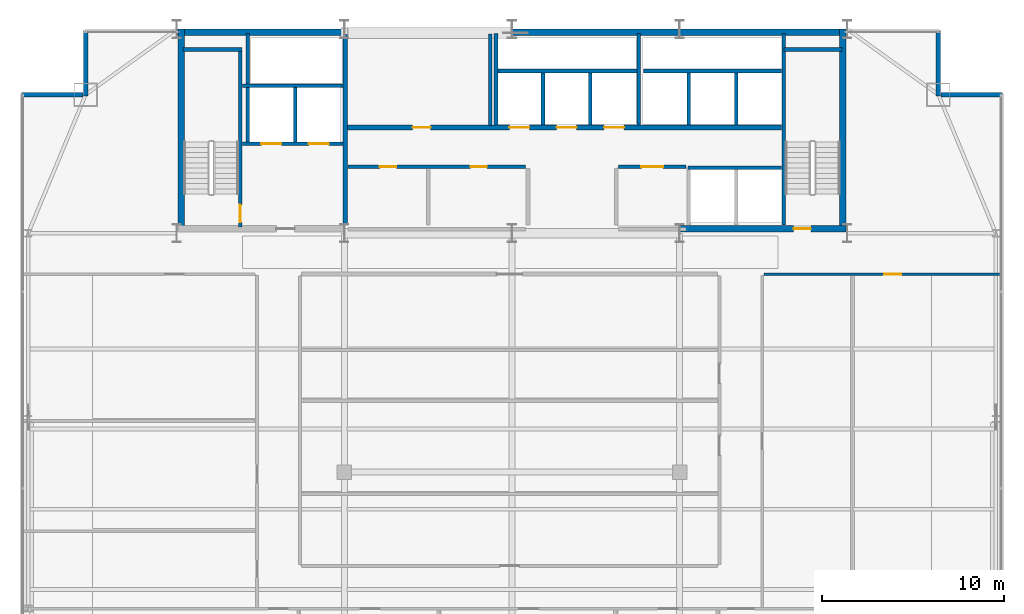
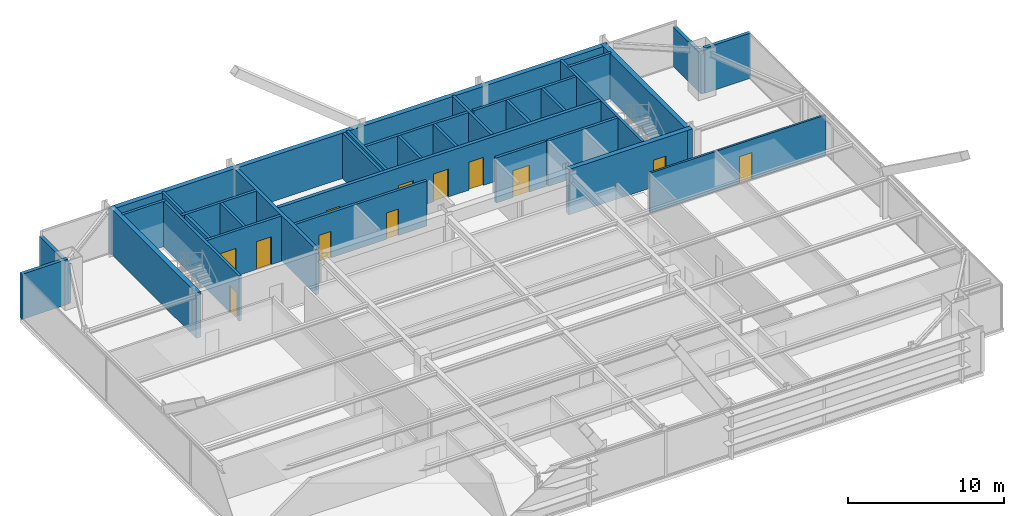
# One storey, part 27 of 30: 31 walls, 12 doors, 12 openings.
"""IFC4 building model written with IfcOpenShell, lengths in metres."""

from ifc_helpers import new_model, si_unit, direction, frame, frame_2d, origin, place, context, subcontext, project, spatial, rectangle, extrude, source, transform, mapped, material, layer, layer_set, type_object, type_shapes, element, fill, save


model = new_model("IFC4")

# Units and contexts
model_context = context("Model", 3, precision=1e-05, world=origin(), true_north=direction((0.0, 1.0)))
body_context = subcontext(model_context, "Body", "Model", "MODEL_VIEW")
ifc_project = project(units=[si_unit("LENGTHUNIT", "METRE"), si_unit("AREAUNIT", "SQUARE_METRE"), si_unit("VOLUMEUNIT", "CUBIC_METRE"), si_unit("PLANEANGLEUNIT", "RADIAN"), si_unit("MASSUNIT", "GRAM", prefix="KILO")], contexts=[model_context])

# Site, building, storey
site_placement = place(None, origin())
site = spatial("IfcSite", under=ifc_project, at=site_placement, CompositionType="ELEMENT")
building_placement = place(site_placement, origin())
building = spatial("IfcBuilding", under=site, at=building_placement, Name="Varnel Quay Broadcast Tower", CompositionType="ELEMENT")
storey_placement = place(building_placement, frame((0.0, 0.0, 180.0)))
storey = spatial("IfcBuildingStorey", under=building, at=storey_placement, Name="L44", CompositionType="ELEMENT", Elevation=180.0)

# Wall, opening, door
ifc_material_1 = material(Name="Concrete CSA A23.3 C50/60", Category="concrete")
ifc_layer_1 = layer(ifc_material_1, 0.199951171875, Name="Concrete CSA A23.3 C50/60")
ifc_layer_set_1 = layer_set([ifc_layer_1], Name="Concrete CSA A23.3 C50/60")
wall_type_1 = type_object("IfcWallType", Name="Wall_CoreShaftShear200", PredefinedType="SHEAR", material=ifc_layer_set_1)
wall_1_placement = place(storey_placement, frame((19.080078125, 35.949951171875, 0.0), z_axis=(0.0, 0.0, 1.0), x_axis=(0.0, 1.0, 0.0)))
wall_1 = element("IfcWall", 1, at=wall_1_placement, inside=storey, type_object=wall_type_1, Name="L44 Stair 1 East Structural Wall", PredefinedType="SHEAR", context=body_context, shape_type="SweptSolid", body=[
    extrude(rectangle(XDim=9.650146484375, YDim=0.199951171875, at=frame_2d((4.8251953125, 0.0))), origin(), (0.0, 0.0, 1.0), 3.550048828125),
])
opening_1_placement = place(wall_1_placement, frame((0.25, 0.0, 0.0)))
opening_1 = element("IfcOpeningElement", 2, at=opening_1_placement, cuts=wall_1, Name="Opening D-L44-S1", PredefinedType="OPENING", context=body_context, shape_type="SweptSolid", body=[
    extrude(rectangle(XDim=0.949951171875, YDim=2.10009765625, at=frame_2d((0.47509765625, 1.050048828125))), frame((0.0, 0.10986328125, 0.0), z_axis=(0.0, -1.0, 0.0), x_axis=(1.0, 0.0, 0.0)), (0.0, 0.0, 1.0), 0.219970703125),
])
ifc_material_2 = material(Name="Insulated Fire-Rated Hollow Steel Door", Category="steel")
door_type_1 = type_object("IfcDoorType", Name="Door_FireStair950", OperationType="NOTDEFINED", PredefinedType="DOOR", material=ifc_material_2)
shared_shape_1 = source(origin(), body_context, "Body", "SweptSolid", [
    extrude(rectangle(XDim=0.949951171875, YDim=2.10009765625, at=frame_2d((0.47509765625, 1.050048828125))), frame((0.0, 0.02490234375, 0.0), z_axis=(0.0, -1.0, 0.0), x_axis=(1.0, 0.0, 0.0)), (0.0, 0.0, 1.0), 0.050048828125),
])
type_shapes(door_type_1, [shared_shape_1])
door_1_placement = place(opening_1_placement, origin())
door_1 = element("IfcDoor", 3, at=door_1_placement, inside=storey, type_object=door_type_1, Name="L44 Stair 1 Fire Door", OperationType="SINGLE_SWING_RIGHT", OverallHeight=2.10009765625, OverallWidth=0.949951171875, PredefinedType="DOOR", context=body_context, shape_type="MappedRepresentation", body=[
    mapped(shared_shape_1, transform((0.0, 0.0, 0.0), x_axis=(1.0, 0.0, 0.0), y_axis=(0.0, 1.0, 0.0), z_axis=(0.0, 0.0, 1.0), scale=1.0)),
])
fill(opening_1, door_1)

# Wall
wall_2_placement = place(storey_placement, frame((15.949951171875, 45.679931640625, 0.0), z_axis=(0.0, 0.0, 1.0), x_axis=(1.0, 0.0, 0.0)))
element("IfcWall", 4, at=wall_2_placement, inside=storey, type_object=wall_type_1, Name="L44 Stair 1 North Structural Wall", PredefinedType="SHEAR", context=body_context, shape_type="SweptSolid", body=[
    extrude(rectangle(XDim=3.22998046875, YDim=0.199951171875, at=frame_2d((1.614990234375, 0.0))), origin(), (0.0, 0.0, 1.0), 3.550048828125),
])

# Wall, openings, doors
wall_3_placement = place(storey_placement, frame((19.199951171875, 40.5, 0.0), z_axis=(0.0, 0.0, 1.0), x_axis=(1.0, 0.0, 0.0)))
wall_3 = element("IfcWall", 5, at=wall_3_placement, inside=storey, type_object=wall_type_1, Name="L44 Firefighter Lift Shaft Front Wall", PredefinedType="SHEAR", context=body_context, shape_type="SweptSolid", body=[
    extrude(rectangle(XDim=5.52001953125, YDim=0.199951171875, at=frame_2d((2.760009765625, 0.0))), origin(), (0.0, 0.0, 1.0), 3.550048828125),
])
opening_2_placement = place(wall_3_placement, frame((1.050048828125, 0.0, 0.0)))
opening_2 = element("IfcOpeningElement", 6, at=opening_2_placement, cuts=wall_3, Name="Opening LD-L44-FE1", PredefinedType="OPENING", context=body_context, shape_type="SweptSolid", body=[
    extrude(rectangle(XDim=1.10009765625, YDim=2.179931640625, at=frame_2d((0.550048828125, 1.08984375))), frame((0.0, 0.10986328125, 0.0), z_axis=(0.0, -1.0, 0.0), x_axis=(1.0, 0.0, 0.0)), (0.0, 0.0, 1.0), 0.219970703125),
])
opening_3_placement = place(wall_3_placement, frame((3.64990234375, 0.0, 0.0)))
opening_3 = element("IfcOpeningElement", 7, at=opening_3_placement, cuts=wall_3, Name="Opening LD-L44-FE2", PredefinedType="OPENING", context=body_context, shape_type="SweptSolid", body=[
    extrude(rectangle(XDim=1.10009765625, YDim=2.179931640625, at=frame_2d((0.550048828125, 1.08984375))), frame((0.0, 0.10986328125, 0.0), z_axis=(0.0, -1.0, 0.0), x_axis=(1.0, 0.0, 0.0)), (0.0, 0.0, 1.0), 0.219970703125),
])
ifc_material_3 = material(Name="Brushed Bronze-Stainless Lift Car & Sliding Doors", Category="steel")
door_type_2 = type_object("IfcDoorType", Name="Door_LiftLanding1100", OperationType="SLIDING_TO_LEFT", PredefinedType="DOOR", material=ifc_material_3)
shared_shape_2 = source(origin(), body_context, "Body", "SweptSolid", [
    extrude(rectangle(XDim=1.10009765625, YDim=2.179931640625, at=frame_2d((0.550048828125, 1.08984375))), frame((0.0, 0.02490234375, 0.0), z_axis=(0.0, -1.0, 0.0), x_axis=(1.0, 0.0, 0.0)), (0.0, 0.0, 1.0), 0.050048828125),
])
type_shapes(door_type_2, [shared_shape_2])
door_2_placement = place(opening_2_placement, frame((1.10009765625, 0.0, 0.0), z_axis=(0.0, 0.0, 1.0), x_axis=(-1.0, 0.0, 0.0)))
door_2 = element("IfcDoor", 8, at=door_2_placement, inside=storey, type_object=door_type_2, Name="L44 Firefighter Lift FE-01 Landing Door", OperationType="SLIDING_TO_LEFT", OverallHeight=2.179931640625, OverallWidth=1.10009765625, PredefinedType="DOOR", context=body_context, shape_type="MappedRepresentation", body=[
    mapped(shared_shape_2, transform((0.0, 0.0, 0.0), x_axis=(1.0, 0.0, 0.0), y_axis=(0.0, 1.0, 0.0), z_axis=(0.0, 0.0, 1.0), scale=1.0)),
])
fill(opening_2, door_2)
door_3_placement = place(opening_3_placement, frame((1.10009765625, 0.0, 0.0), z_axis=(0.0, 0.0, 1.0), x_axis=(-1.0, 0.0, 0.0)))
door_3 = element("IfcDoor", 9, at=door_3_placement, inside=storey, type_object=door_type_2, Name="L44 Firefighter Lift FE-02 Landing Door", OperationType="SLIDING_TO_RIGHT", OverallHeight=2.179931640625, OverallWidth=1.10009765625, PredefinedType="DOOR", context=body_context, shape_type="MappedRepresentation", body=[
    mapped(shared_shape_2, transform((0.0, 0.0, 0.0), x_axis=(1.0, 0.0, 0.0), y_axis=(0.0, 1.0, 0.0), z_axis=(0.0, 0.0, 1.0), scale=1.0)),
])
fill(opening_3, door_3)

# Walls
wall_4_placement = place(storey_placement, frame((19.199951171875, 43.699951171875, 0.0), z_axis=(0.0, 0.0, 1.0), x_axis=(1.0, 0.0, 0.0)))
element("IfcWall", 10, at=wall_4_placement, inside=storey, type_object=wall_type_1, Name="L44 Firefighter Lift Shaft Rear Wall", PredefinedType="SHEAR", context=body_context, shape_type="SweptSolid", body=[
    extrude(rectangle(XDim=5.52001953125, YDim=0.199951171875, at=frame_2d((2.760009765625, 0.0))), origin(), (0.0, 0.0, 1.0), 3.550048828125),
])
wall_5_placement = place(storey_placement, frame((22.10009765625, 40.60009765625, 0.0), z_axis=(0.0, 0.0, 1.0), x_axis=(0.0, 1.0, 0.0)))
element("IfcWall", 11, at=wall_5_placement, inside=storey, type_object=wall_type_1, Name="L44 Firefighter Lift Shaft Divider", PredefinedType="SHEAR", context=body_context, shape_type="SweptSolid", body=[
    extrude(rectangle(XDim=3.0, YDim=0.199951171875, at=frame_2d((1.5, 0.0))), origin(), (0.0, 0.0, 1.0), 3.550048828125),
])
wall_6_placement = place(storey_placement, frame((19.5, 40.60009765625, 0.0), z_axis=(0.0, 0.0, 1.0), x_axis=(0.0, 1.0, 0.0)))
element("IfcWall", 12, at=wall_6_placement, inside=storey, type_object=wall_type_1, Name="L44 Firefighter Lift Shaft West Wall", PredefinedType="SHEAR", context=body_context, shape_type="SweptSolid", body=[
    extrude(rectangle(XDim=5.949951171875, YDim=0.199951171875, at=frame_2d((2.97509765625, 0.0))), origin(), (0.0, 0.0, 1.0), 3.550048828125),
])
wall_7_placement = place(storey_placement, frame((48.919921875, 36.050048828125, 0.0), z_axis=(0.0, 0.0, 1.0), x_axis=(0.0, 1.0, 0.0)))
element("IfcWall", 13, at=wall_7_placement, inside=storey, type_object=wall_type_1, Name="L44 Stair 2 West Structural Wall", PredefinedType="SHEAR", context=body_context, shape_type="SweptSolid", body=[
    extrude(rectangle(XDim=10.5, YDim=0.199951171875, at=frame_2d((5.25, 0.0))), origin(), (0.0, 0.0, 1.0), 3.550048828125),
])
wall_8_placement = place(storey_placement, frame((48.919921875, 45.679931640625, 0.0), z_axis=(0.0, 0.0, 1.0), x_axis=(1.0, 0.0, 0.0)))
element("IfcWall", 14, at=wall_8_placement, inside=storey, type_object=wall_type_1, Name="L44 Stair 2 North Structural Wall", PredefinedType="SHEAR", context=body_context, shape_type="SweptSolid", body=[
    extrude(rectangle(XDim=3.18017578125, YDim=0.199951171875, at=frame_2d((1.590087890625, 0.0))), origin(), (0.0, 0.0, 1.0), 3.550048828125),
])
wall_9_placement = place(storey_placement, frame((33.219970703125, 44.5, 0.0), z_axis=(0.0, 0.0, 1.0), x_axis=(1.0, 0.0, 0.0)))
element("IfcWall", 15, at=wall_9_placement, inside=storey, type_object=wall_type_1, Name="L44 Mid-Rise Lift Shaft Rear Wall", PredefinedType="SHEAR", context=body_context, shape_type="SweptSolid", body=[
    extrude(rectangle(XDim=7.630126953125, YDim=0.199951171875, at=frame_2d((3.81494140625, 0.0))), origin(), (0.0, 0.0, 1.0), 3.550048828125),
])
wall_10_placement = place(storey_placement, frame((33.1201171875, 41.530029296875, 0.0), z_axis=(0.0, 0.0, 1.0), x_axis=(0.0, 1.0, 0.0)))
element("IfcWall", 16, at=wall_10_placement, inside=storey, type_object=wall_type_1, Name="L44 Mid-Rise Lift Shaft Divider 1", PredefinedType="SHEAR", context=body_context, shape_type="SweptSolid", body=[
    extrude(rectangle(XDim=5.02001953125, YDim=0.199951171875, at=frame_2d((2.510009765625, 0.0))), origin(), (0.0, 0.0, 1.0), 3.550048828125),
])
for number, where, z_axis, x_axis, name in (
    (17, (35.699951171875, 41.530029296875, 0.0), (0.0, 0.0, 1.0), (0.0, 1.0, 0.0), "L44 Mid-Rise Lift Shaft Divider 2"),
    (18, (38.300048828125, 41.530029296875, 0.0), (0.0, 0.0, 1.0), (0.0, 1.0, 0.0), "L44 Mid-Rise Lift Shaft Divider 3"),
):
    element("IfcWall", number, at=place(storey_placement, frame(where, z_axis=z_axis, x_axis=x_axis)), inside=storey, type_object=wall_type_1, Name=name, PredefinedType="SHEAR", context=body_context, shape_type="SweptSolid", body=[
        extrude(rectangle(XDim=2.869873046875, YDim=0.199951171875, at=frame_2d((1.43505859375, 0.0))), origin(), (0.0, 0.0, 1.0), 3.550048828125),
    ])
wall_11_placement = place(storey_placement, frame((40.949951171875, 41.530029296875, 0.0), z_axis=(0.0, 0.0, 1.0), x_axis=(0.0, 1.0, 0.0)))
element("IfcWall", 19, at=wall_11_placement, inside=storey, type_object=wall_type_1, Name="L44 Mid-Rise Lift Shaft Divider 4", PredefinedType="SHEAR", context=body_context, shape_type="SweptSolid", body=[
    extrude(rectangle(XDim=5.02001953125, YDim=0.199951171875, at=frame_2d((2.510009765625, 0.0))), origin(), (0.0, 0.0, 1.0), 3.550048828125),
])
wall_12_placement = place(storey_placement, frame((41.219970703125, 44.5, 0.0), z_axis=(0.0, 0.0, 1.0), x_axis=(1.0, 0.0, 0.0)))
element("IfcWall", 20, at=wall_12_placement, inside=storey, type_object=wall_type_1, Name="L44 High-Rise Lift Shaft Rear Wall", PredefinedType="SHEAR", context=body_context, shape_type="SweptSolid", body=[
    extrude(rectangle(XDim=7.580078125, YDim=0.199951171875, at=frame_2d((3.7900390625, 0.0))), origin(), (0.0, 0.0, 1.0), 3.550048828125),
])
for number, where, z_axis, x_axis, name in (
    (21, (43.699951171875, 41.530029296875, 0.0), (0.0, 0.0, 1.0), (0.0, 1.0, 0.0), "L44 High-Rise Lift Shaft Divider 2"),
    (22, (46.300048828125, 41.530029296875, 0.0), (0.0, 0.0, 1.0), (0.0, 1.0, 0.0), "L44 High-Rise Lift Shaft Divider 3"),
):
    element("IfcWall", number, at=place(storey_placement, frame(where, z_axis=z_axis, x_axis=x_axis)), inside=storey, type_object=wall_type_1, Name=name, PredefinedType="SHEAR", context=body_context, shape_type="SweptSolid", body=[
        extrude(rectangle(XDim=2.869873046875, YDim=0.199951171875, at=frame_2d((1.43505859375, 0.0))), origin(), (0.0, 0.0, 1.0), 3.550048828125),
    ])
wall_13_placement = place(storey_placement, frame((43.64990234375, 39.199951171875, 0.0), z_axis=(0.0, 0.0, 1.0), x_axis=(1.0, 0.0, 0.0)))
element("IfcWall", 23, at=wall_13_placement, inside=storey, type_object=wall_type_1, Name="L44 Express Lift Shaft North Front Wall", PredefinedType="SHEAR", context=body_context, shape_type="SweptSolid", body=[
    extrude(rectangle(XDim=5.150146484375, YDim=0.199951171875, at=frame_2d((2.5751953125, 0.0))), origin(), (0.0, 0.0, 1.0), 3.550048828125),
])
ifc_layer_2 = layer(ifc_material_1, 0.25, Name="Concrete CSA A23.3 C50/60")
ifc_layer_set_2 = layer_set([ifc_layer_2], Name="Concrete CSA A23.3 C50/60")
wall_type_2 = type_object("IfcWallType", Name="Wall_CoreShaftShear250", PredefinedType="SHEAR", material=ifc_layer_set_2)
wall_14_placement = place(storey_placement, frame((24.85009765625, 36.050048828125, 0.0), z_axis=(0.0, 0.0, 1.0), x_axis=(0.0, 1.0, 0.0)))
element("IfcWall", 24, at=wall_14_placement, inside=storey, type_object=wall_type_2, Name="L44 Firefighting Lobby East Structural Wall", PredefinedType="SHEAR", context=body_context, shape_type="SweptSolid", body=[
    extrude(rectangle(XDim=10.449951171875, YDim=0.25, at=frame_2d((5.22509765625, 0.0))), origin(), (0.0, 0.0, 1.0), 3.550048828125),
])

# Wall, openings, doors
wall_15_placement = place(storey_placement, frame((24.97998046875, 41.39990234375, 0.0), z_axis=(0.0, 0.0, 1.0), x_axis=(1.0, 0.0, 0.0)))
wall_15 = element("IfcWall", 25, at=wall_15_placement, inside=storey, type_object=wall_type_2, Name="L44 North Lift Bank & Reclaimed Suite Wall", PredefinedType="SHEAR", context=body_context, shape_type="SweptSolid", body=[
    extrude(rectangle(XDim=23.820068359375, YDim=0.25, at=frame_2d((11.91015625, 0.0))), origin(), (0.0, 0.0, 1.0), 3.550048828125),
])
opening_4_placement = place(wall_15_placement, frame((8.8701171875, 0.0, 0.0)))
opening_4 = element("IfcOpeningElement", 26, at=opening_4_placement, cuts=wall_15, Name="Opening LD-L44-PM-01", PredefinedType="OPENING", context=body_context, shape_type="SweptSolid", body=[
    extrude(rectangle(XDim=1.10009765625, YDim=2.179931640625, at=frame_2d((0.550048828125, 1.08984375))), frame((0.0, 0.135009765625, 0.0), z_axis=(0.0, -1.0, 0.0), x_axis=(1.0, 0.0, 0.0)), (0.0, 0.0, 1.0), 0.27001953125),
])
opening_5_placement = place(wall_15_placement, frame((11.469970703125, 0.0, 0.0)))
opening_5 = element("IfcOpeningElement", 27, at=opening_5_placement, cuts=wall_15, Name="Opening LD-L44-PM-02", PredefinedType="OPENING", context=body_context, shape_type="SweptSolid", body=[
    extrude(rectangle(XDim=1.10009765625, YDim=2.179931640625, at=frame_2d((0.550048828125, 1.08984375))), frame((0.0, 0.135009765625, 0.0), z_axis=(0.0, -1.0, 0.0), x_axis=(1.0, 0.0, 0.0)), (0.0, 0.0, 1.0), 0.27001953125),
])
opening_6_placement = place(wall_15_placement, frame((14.070068359375, 0.0, 0.0)))
opening_6 = element("IfcOpeningElement", 28, at=opening_6_placement, cuts=wall_15, Name="Opening LD-L44-PM-03", PredefinedType="OPENING", context=body_context, shape_type="SweptSolid", body=[
    extrude(rectangle(XDim=1.10009765625, YDim=2.179931640625, at=frame_2d((0.550048828125, 1.08984375))), frame((0.0, 0.135009765625, 0.0), z_axis=(0.0, -1.0, 0.0), x_axis=(1.0, 0.0, 0.0)), (0.0, 0.0, 1.0), 0.27001953125),
])
opening_7_placement = place(wall_15_placement, frame((3.56005859375, 0.0, 0.0)))
opening_7 = element("IfcOpeningElement", 29, at=opening_7_placement, cuts=wall_15, Name="Opening D-L44-RECA1", PredefinedType="OPENING", context=body_context, shape_type="SweptSolid", body=[
    extrude(rectangle(XDim=1.0, YDim=2.080078125, at=frame_2d((0.5, 1.0400390625))), frame((0.0, 0.135009765625, 0.0), z_axis=(0.0, -1.0, 0.0), x_axis=(1.0, 0.0, 0.0)), (0.0, 0.0, 1.0), 0.27001953125),
])
door_4_placement = place(opening_4_placement, frame((1.10009765625, 0.0, 0.0), z_axis=(0.0, 0.0, 1.0), x_axis=(-1.0, 0.0, 0.0)))
door_4 = element("IfcDoor", 30, at=door_4_placement, inside=storey, type_object=door_type_2, Name="L44 Lift PM-01 Landing Door", OperationType="SLIDING_TO_LEFT", OverallHeight=2.179931640625, OverallWidth=1.10009765625, PredefinedType="DOOR", context=body_context, shape_type="MappedRepresentation", body=[
    mapped(shared_shape_2, transform((0.0, 0.0, 0.0), x_axis=(1.0, 0.0, 0.0), y_axis=(0.0, 1.0, 0.0), z_axis=(0.0, 0.0, 1.0), scale=1.0)),
])
fill(opening_4, door_4)
door_5_placement = place(opening_5_placement, frame((1.10009765625, 0.0, 0.0), z_axis=(0.0, 0.0, 1.0), x_axis=(-1.0, 0.0, 0.0)))
door_5 = element("IfcDoor", 31, at=door_5_placement, inside=storey, type_object=door_type_2, Name="L44 Lift PM-02 Landing Door", OperationType="SLIDING_TO_LEFT", OverallHeight=2.179931640625, OverallWidth=1.10009765625, PredefinedType="DOOR", context=body_context, shape_type="MappedRepresentation", body=[
    mapped(shared_shape_2, transform((0.0, 0.0, 0.0), x_axis=(1.0, 0.0, 0.0), y_axis=(0.0, 1.0, 0.0), z_axis=(0.0, 0.0, 1.0), scale=1.0)),
])
fill(opening_5, door_5)
door_6_placement = place(opening_6_placement, frame((1.10009765625, 0.0, 0.0), z_axis=(0.0, 0.0, 1.0), x_axis=(-1.0, 0.0, 0.0)))
door_6 = element("IfcDoor", 32, at=door_6_placement, inside=storey, type_object=door_type_2, Name="L44 Lift PM-03 Landing Door", OperationType="SLIDING_TO_LEFT", OverallHeight=2.179931640625, OverallWidth=1.10009765625, PredefinedType="DOOR", context=body_context, shape_type="MappedRepresentation", body=[
    mapped(shared_shape_2, transform((0.0, 0.0, 0.0), x_axis=(1.0, 0.0, 0.0), y_axis=(0.0, 1.0, 0.0), z_axis=(0.0, 0.0, 1.0), scale=1.0)),
])
fill(opening_6, door_6)
door_type_3 = type_object("IfcDoorType", Name="Door_FireLobby1000", OperationType="NOTDEFINED", PredefinedType="DOOR", material=ifc_material_2)
shared_shape_3 = source(origin(), body_context, "Body", "SweptSolid", [
    extrude(rectangle(XDim=1.0, YDim=2.080078125, at=frame_2d((0.5, 1.0400390625))), frame((0.0, 0.02490234375, 0.0), z_axis=(0.0, -1.0, 0.0), x_axis=(1.0, 0.0, 0.0)), (0.0, 0.0, 1.0), 0.050048828125),
])
type_shapes(door_type_3, [shared_shape_3])
door_7_placement = place(opening_7_placement, origin())
door_7 = element("IfcDoor", 33, at=door_7_placement, inside=storey, type_object=door_type_3, Name="L44 Broadcast Ingest Server Hall Door", OperationType="SINGLE_SWING_LEFT", OverallHeight=2.080078125, OverallWidth=1.0, PredefinedType="DOOR", context=body_context, shape_type="MappedRepresentation", body=[
    mapped(shared_shape_3, transform((0.0, 0.0, 0.0), x_axis=(1.0, 0.0, 0.0), y_axis=(0.0, 1.0, 0.0), z_axis=(0.0, 0.0, 1.0), scale=1.0)),
])
fill(opening_7, door_7)

# Walls
ifc_layer_3 = layer(ifc_material_1, 0.35009765625, Name="Concrete CSA A23.3 C50/60")
ifc_layer_set_3 = layer_set([ifc_layer_3], Name="Concrete CSA A23.3 C50/60")
wall_type_3 = type_object("IfcWallType", Name="Wall_CoreShearExt350", PredefinedType="SHEAR", material=ifc_layer_set_3)
wall_16_placement = place(storey_placement, frame((15.60009765625, 46.625, 0.0), z_axis=(0.0, 0.0, 1.0), x_axis=(1.0, 0.0, 0.0)))
element("IfcWall", 34, at=wall_16_placement, inside=storey, type_object=wall_type_3, Name="L44 North Core Shear Wall", PredefinedType="SHEAR", context=body_context, shape_type="SweptSolid", body=[
    extrude(rectangle(XDim=36.7998046875, YDim=0.35009765625, at=frame_2d((18.39990234375, 0.0))), origin(), (0.0, 0.0, 1.0), 3.550048828125),
])
ifc_layer_4 = layer(ifc_material_1, 0.35009765625, Name="Concrete CSA A23.3 C50/60")
ifc_layer_set_4 = layer_set([ifc_layer_4], Name="Concrete CSA A23.3 C50/60")
wall_type_4 = type_object("IfcWallType", Name="Wall_CoreShearInt350", PredefinedType="SHEAR", material=ifc_layer_set_4)
for number, where, z_axis, x_axis, name in (
    (35, (15.844970703125, 35.669921875, 0.0), (0.0, 0.0, 1.0), (0.0, 1.0, 0.0), "L44 West Core Shear Wall"),
    (36, (52.155029296875, 35.669921875, 0.0), (0.0, 0.0, 1.0), (0.0, 1.0, 0.0), "L44 East Core Shear Wall"),
):
    element("IfcWall", number, at=place(storey_placement, frame(where, z_axis=z_axis, x_axis=x_axis)), inside=storey, type_object=wall_type_4, Name=name, PredefinedType="SHEAR", context=body_context, shape_type="SweptSolid", body=[
        extrude(rectangle(XDim=11.130126953125, YDim=0.35009765625, at=frame_2d((5.56494140625, 0.0))), origin(), (0.0, 0.0, 1.0), 3.550048828125),
    ])

# Wall, opening, door
wall_17_placement = place(storey_placement, frame((43.199951171875, 35.844970703125, 0.0), z_axis=(0.0, 0.0, 1.0), x_axis=(1.0, 0.0, 0.0)))
wall_17 = element("IfcWall", 37, at=wall_17_placement, inside=storey, type_object=wall_type_4, Name="L44 South-East Core Shear Wall", PredefinedType="SHEAR", context=body_context, shape_type="SweptSolid", body=[
    extrude(rectangle(XDim=9.130126953125, YDim=0.35009765625, at=frame_2d((4.56494140625, 0.0))), origin(), (0.0, 0.0, 1.0), 3.550048828125),
])
opening_8_placement = place(wall_17_placement, frame((6.25, 0.0, 0.0)))
opening_8 = element("IfcOpeningElement", 38, at=opening_8_placement, cuts=wall_17, Name="Opening D-L44-S2", PredefinedType="OPENING", context=body_context, shape_type="SweptSolid", body=[
    extrude(rectangle(XDim=0.949951171875, YDim=2.10009765625, at=frame_2d((0.47509765625, 1.050048828125))), frame((0.0, 0.18505859375, 0.0), z_axis=(0.0, -1.0, 0.0), x_axis=(1.0, 0.0, 0.0)), (0.0, 0.0, 1.0), 0.3701171875),
])
door_8_placement = place(opening_8_placement, origin())
door_8 = element("IfcDoor", 39, at=door_8_placement, inside=storey, type_object=door_type_1, Name="L44 Stair 2 Fire Door", OperationType="SINGLE_SWING_RIGHT", OverallHeight=2.10009765625, OverallWidth=0.949951171875, PredefinedType="DOOR", context=body_context, shape_type="MappedRepresentation", body=[
    mapped(shared_shape_1, transform((0.0, 0.0, 0.0), x_axis=(1.0, 0.0, 0.0), y_axis=(0.0, 1.0, 0.0), z_axis=(0.0, 0.0, 1.0), scale=1.0)),
])
fill(opening_8, door_8)

# Walls
ifc_material_4 = material(Name="Precast Architectural Concrete C40/50", Category="concrete")
ifc_layer_5 = layer(ifc_material_4, 0.25, Name="Precast Architectural Concrete C40/50")
ifc_layer_set_5 = layer_set([ifc_layer_5], Name="Precast Architectural Concrete C40/50")
wall_type_5 = type_object("IfcWallType", Name="Wall_ExtTerrace250", PredefinedType="SOLIDWALL", material=ifc_layer_set_5)
wall_18_placement = place(storey_placement, frame((7.080078125, 43.199951171875, 0.0), z_axis=(0.0, 0.0, 1.0), x_axis=(1.0, 0.0, 0.0)))
element("IfcWall", 40, at=wall_18_placement, inside=storey, type_object=wall_type_5, Name="L44 Mega-Column Notch Cladding Wall NNW1", PredefinedType="SOLIDWALL", context=body_context, shape_type="SweptSolid", body=[
    extrude(rectangle(XDim=3.389892578125, YDim=0.25, at=frame_2d((1.69482421875, 0.0))), origin(), (0.0, 0.0, 1.0), 3.530029296875),
])
wall_19_placement = place(storey_placement, frame((10.60009765625, 43.1201171875, 0.0), z_axis=(0.0, 0.0, 1.0), x_axis=(0.0, 1.0, 0.0)))
element("IfcWall", 41, at=wall_19_placement, inside=storey, type_object=wall_type_5, Name="L44 Mega-Column Notch Cladding Wall NNW2", PredefinedType="SOLIDWALL", context=body_context, shape_type="SweptSolid", body=[
    extrude(rectangle(XDim=3.599853515625, YDim=0.25, at=frame_2d((1.7998046875, 0.0))), origin(), (0.0, 0.0, 1.0), 3.10791015625),
])
wall_20_placement = place(storey_placement, frame((57.530029296875, 43.199951171875, 0.0), z_axis=(0.0, 0.0, 1.0), x_axis=(1.0, 0.0, 0.0)))
element("IfcWall", 42, at=wall_20_placement, inside=storey, type_object=wall_type_5, Name="L44 Mega-Column Notch Cladding Wall NNE1", PredefinedType="SOLIDWALL", context=body_context, shape_type="SweptSolid", body=[
    extrude(rectangle(XDim=3.389892578125, YDim=0.25, at=frame_2d((1.69482421875, 0.0))), origin(), (0.0, 0.0, 1.0), 3.530029296875),
])
wall_21_placement = place(storey_placement, frame((57.39990234375, 43.1201171875, 0.0), z_axis=(0.0, 0.0, 1.0), x_axis=(0.0, 1.0, 0.0)))
element("IfcWall", 43, at=wall_21_placement, inside=storey, type_object=wall_type_5, Name="L44 Mega-Column Notch Cladding Wall NNE2", PredefinedType="SOLIDWALL", context=body_context, shape_type="SweptSolid", body=[
    extrude(rectangle(XDim=3.599853515625, YDim=0.25, at=frame_2d((1.7998046875, 0.0))), origin(), (0.0, 0.0, 1.0), 3.10791015625),
])

# Wall, opening, door
ifc_material_5 = material(Name="Concrete Blockwork Fire Enclosure C40/50", Category="masonry")
ifc_layer_6 = layer(ifc_material_5, 0.199951171875, Name="Concrete Blockwork Fire Enclosure C40/50")
ifc_layer_set_6 = layer_set([ifc_layer_6], Name="Concrete Blockwork Fire Enclosure C40/50")
wall_type_6 = type_object("IfcWallType", Name="Wall_FireShaft200", PredefinedType="SOLIDWALL", material=ifc_layer_set_6)
wall_22_placement = place(storey_placement, frame((39.85009765625, 39.25, 0.0), z_axis=(0.0, 0.0, 1.0), x_axis=(1.0, 0.0, 0.0)))
wall_22 = element("IfcWall", 44, at=wall_22_placement, inside=storey, type_object=wall_type_6, Name="L44 Electrical Sub-Distribution Closet Partition 6", PredefinedType="SOLIDWALL", context=body_context, shape_type="SweptSolid", body=[
    extrude(rectangle(XDim=3.699951171875, YDim=0.199951171875, at=frame_2d((1.85009765625, 0.0))), origin(), (0.0, 0.0, 1.0), 3.530029296875),
])
opening_9_placement = place(wall_22_placement, frame((1.25, 0.0, 0.0)))
opening_9 = element("IfcOpeningElement", 45, at=opening_9_placement, cuts=wall_22, Name="Opening D-L44-03", PredefinedType="OPENING", context=body_context, shape_type="SweptSolid", body=[
    extrude(rectangle(XDim=1.199951171875, YDim=2.10009765625, at=frame_2d((0.60009765625, 1.050048828125))), frame((0.0, 0.10986328125, 0.0), z_axis=(0.0, -1.0, 0.0), x_axis=(1.0, 0.0, 0.0)), (0.0, 0.0, 1.0), 0.219970703125),
])
door_type_4 = type_object("IfcDoorType", Name="Door_Plant1200", OperationType="NOTDEFINED", PredefinedType="DOOR", material=ifc_material_2)
shared_shape_4 = source(origin(), body_context, "Body", "SweptSolid", [
    extrude(rectangle(XDim=1.199951171875, YDim=2.10009765625, at=frame_2d((0.60009765625, 1.050048828125))), frame((0.0, 0.02490234375, 0.0), z_axis=(0.0, -1.0, 0.0), x_axis=(1.0, 0.0, 0.0)), (0.0, 0.0, 1.0), 0.050048828125),
])
type_shapes(door_type_4, [shared_shape_4])
door_9_placement = place(opening_9_placement, origin())
door_9 = element("IfcDoor", 46, at=door_9_placement, inside=storey, type_object=door_type_4, Name="L44 Electrical Sub-Distribution Closet Door D-L44-03", OperationType="SINGLE_SWING_RIGHT", OverallHeight=2.10009765625, OverallWidth=1.199951171875, PredefinedType="DOOR", context=body_context, shape_type="MappedRepresentation", body=[
    mapped(shared_shape_4, transform((0.0, 0.0, 0.0), x_axis=(1.0, 0.0, 0.0), y_axis=(0.0, 1.0, 0.0), z_axis=(0.0, 0.0, 1.0), scale=1.0)),
])
fill(opening_9, door_9)

# Wall
wall_23_placement = place(storey_placement, frame((32.800048828125, 41.5, 0.0), z_axis=(0.0, 0.0, 1.0), x_axis=(0.0, 1.0, 0.0)))
element("IfcWall", 47, at=wall_23_placement, inside=storey, type_object=wall_type_6, Name="L44 Broadcast Ingest Server Hall Partition 27", PredefinedType="SOLIDWALL", context=body_context, shape_type="SweptSolid", body=[
    extrude(rectangle(XDim=5.02001953125, YDim=0.199951171875, at=frame_2d((2.510009765625, 0.0))), origin(), (0.0, 0.0, 1.0), 3.530029296875),
])

# Wall, opening, door
ifc_material_6 = material(Name="Steel-Stud Fire-Rated Acoustic Gypsum Partition Assembly", Category="steel")
ifc_layer_7 = layer(ifc_material_6, 0.14990234375, Name="Steel-Stud Fire-Rated Acoustic Gypsum Partition Assembly")
ifc_layer_set_7 = layer_set([ifc_layer_7], Name="Steel-Stud Fire-Rated Acoustic Gypsum Partition Assembly")
wall_type_7 = type_object("IfcWallType", Name="Wall_Partition150", PredefinedType="PARTITIONING", material=ifc_layer_set_7)
wall_24_placement = place(storey_placement, frame((47.830078125, 33.35009765625, 0.0), z_axis=(0.0, 0.0, 1.0), x_axis=(1.0, 0.0, 0.0)))
wall_24 = element("IfcWall", 48, at=wall_24_placement, inside=storey, type_object=wall_type_7, Name="L44 Catering Kitchen 13 Partition 25", PredefinedType="PARTITIONING", context=body_context, shape_type="SweptSolid", body=[
    extrude(rectangle(XDim=12.989990234375, YDim=0.14990234375, at=frame_2d((6.4951171875, 0.0))), origin(), (0.0, 0.0, 1.0), 3.10791015625),
])
opening_10_placement = place(wall_24_placement, frame((6.610107421875, 0.0, 0.0)))
opening_10 = element("IfcOpeningElement", 49, at=opening_10_placement, cuts=wall_24, Name="Opening D-L44-17", PredefinedType="OPENING", context=body_context, shape_type="SweptSolid", body=[
    extrude(rectangle(XDim=0.919921875, YDim=2.080078125, at=frame_2d((0.4599609375, 1.0400390625))), frame((0.0, 0.0849609375, 0.0), z_axis=(0.0, -1.0, 0.0), x_axis=(1.0, 0.0, 0.0)), (0.0, 0.0, 1.0), 0.169921875),
])
ifc_material_7 = material(Name="Solid-Core Fire-Rated Acoustic Oak Veneer Door", Category="wood")
door_type_5 = type_object("IfcDoorType", Name="Door_Office920", OperationType="NOTDEFINED", PredefinedType="DOOR", material=ifc_material_7)
shared_shape_5 = source(origin(), body_context, "Body", "SweptSolid", [
    extrude(rectangle(XDim=0.919921875, YDim=2.080078125, at=frame_2d((0.4599609375, 1.0400390625))), frame((0.0, 0.02490234375, 0.0), z_axis=(0.0, -1.0, 0.0), x_axis=(1.0, 0.0, 0.0)), (0.0, 0.0, 1.0), 0.050048828125),
])
type_shapes(door_type_5, [shared_shape_5])
door_10_placement = place(opening_10_placement, frame((0.919921875, 0.0, 0.0), z_axis=(0.0, 0.0, 1.0), x_axis=(-1.0, 0.0, 0.0)))
door_10 = element("IfcDoor", 50, at=door_10_placement, inside=storey, type_object=door_type_5, Name="L44 Bureau Office 14 Door D-L44-17", OperationType="SINGLE_SWING_RIGHT", OverallHeight=2.080078125, OverallWidth=0.919921875, PredefinedType="DOOR", context=body_context, shape_type="MappedRepresentation", body=[
    mapped(shared_shape_5, transform((0.0, 0.0, 0.0), x_axis=(1.0, 0.0, 0.0), y_axis=(0.0, 1.0, 0.0), z_axis=(0.0, 0.0, 1.0), scale=1.0)),
])
fill(opening_10, door_10)

# Wall, openings, doors
ifc_material_8 = material(Name="Fire-Rated Moisture-Resistant Plumbing Chase Partition")
ifc_layer_8 = layer(ifc_material_8, 0.199951171875, Name="Fire-Rated Moisture-Resistant Plumbing Chase Partition")
ifc_layer_set_8 = layer_set([ifc_layer_8], Name="Fire-Rated Moisture-Resistant Plumbing Chase Partition")
wall_type_8 = type_object("IfcWallType", Name="Wall_Plumbing200", PredefinedType="PLUMBINGWALL", material=ifc_layer_set_8)
wall_25_placement = place(storey_placement, frame((25.0, 39.25, 0.0), z_axis=(0.0, 0.0, 1.0), x_axis=(1.0, 0.0, 0.0)))
wall_25 = element("IfcWall", 51, at=wall_25_placement, inside=storey, type_object=wall_type_8, Name="L44 Accessible Washroom Partition 3", PredefinedType="PLUMBINGWALL", context=body_context, shape_type="SweptSolid", body=[
    extrude(rectangle(XDim=9.75, YDim=0.199951171875, at=frame_2d((4.875, 0.0))), origin(), (0.0, 0.0, 1.0), 3.530029296875),
])
opening_11_placement = place(wall_25_placement, frame((1.75, 0.0, 0.0)))
opening_11 = element("IfcOpeningElement", 52, at=opening_11_placement, cuts=wall_25, Name="Opening D-L44-01", PredefinedType="OPENING", context=body_context, shape_type="SweptSolid", body=[
    extrude(rectangle(XDim=0.89990234375, YDim=2.06005859375, at=frame_2d((0.449951171875, 1.030029296875))), frame((0.0, 0.10986328125, 0.0), z_axis=(0.0, -1.0, 0.0), x_axis=(1.0, 0.0, 0.0)), (0.0, 0.0, 1.0), 0.219970703125),
])
opening_12_placement = place(wall_25_placement, frame((6.72509765625, 0.0, 0.0)))
opening_12 = element("IfcOpeningElement", 53, at=opening_12_placement, cuts=wall_25, Name="Opening D-L44-02", PredefinedType="OPENING", context=body_context, shape_type="SweptSolid", body=[
    extrude(rectangle(XDim=0.89990234375, YDim=2.06005859375, at=frame_2d((0.449951171875, 1.030029296875))), frame((0.0, 0.10986328125, 0.0), z_axis=(0.0, -1.0, 0.0), x_axis=(1.0, 0.0, 0.0)), (0.0, 0.0, 1.0), 0.219970703125),
])
door_type_6 = type_object("IfcDoorType", Name="Door_Washroom900", OperationType="NOTDEFINED", PredefinedType="DOOR", material=ifc_material_7)
shared_shape_6 = source(origin(), body_context, "Body", "SweptSolid", [
    extrude(rectangle(XDim=0.89990234375, YDim=2.06005859375, at=frame_2d((0.449951171875, 1.030029296875))), frame((0.0, 0.02490234375, 0.0), z_axis=(0.0, -1.0, 0.0), x_axis=(1.0, 0.0, 0.0)), (0.0, 0.0, 1.0), 0.050048828125),
])
type_shapes(door_type_6, [shared_shape_6])
door_11_placement = place(opening_11_placement, frame((0.89990234375, 0.0, 0.0), z_axis=(0.0, 0.0, 1.0), x_axis=(-1.0, 0.0, 0.0)))
door_11 = element("IfcDoor", 54, at=door_11_placement, inside=storey, type_object=door_type_6, Name="L44 Accessible Washroom Door D-L44-01", OperationType="SINGLE_SWING_RIGHT", OverallHeight=2.06005859375, OverallWidth=0.89990234375, PredefinedType="DOOR", context=body_context, shape_type="MappedRepresentation", body=[
    mapped(shared_shape_6, transform((0.0, 0.0, 0.0), x_axis=(1.0, 0.0, 0.0), y_axis=(0.0, 1.0, 0.0), z_axis=(0.0, 0.0, 1.0), scale=1.0)),
])
fill(opening_11, door_11)
door_12_placement = place(opening_12_placement, frame((0.89990234375, 0.0, 0.0), z_axis=(0.0, 0.0, 1.0), x_axis=(-1.0, 0.0, 0.0)))
door_12 = element("IfcDoor", 55, at=door_12_placement, inside=storey, type_object=door_type_6, Name="L44 Staff Washrooms Door D-L44-02", OperationType="SINGLE_SWING_LEFT", OverallHeight=2.06005859375, OverallWidth=0.89990234375, PredefinedType="DOOR", context=body_context, shape_type="MappedRepresentation", body=[
    mapped(shared_shape_6, transform((0.0, 0.0, 0.0), x_axis=(1.0, 0.0, 0.0), y_axis=(0.0, 1.0, 0.0), z_axis=(0.0, 0.0, 1.0), scale=1.0)),
])
fill(opening_12, door_12)

save(model, "model.ifc")
